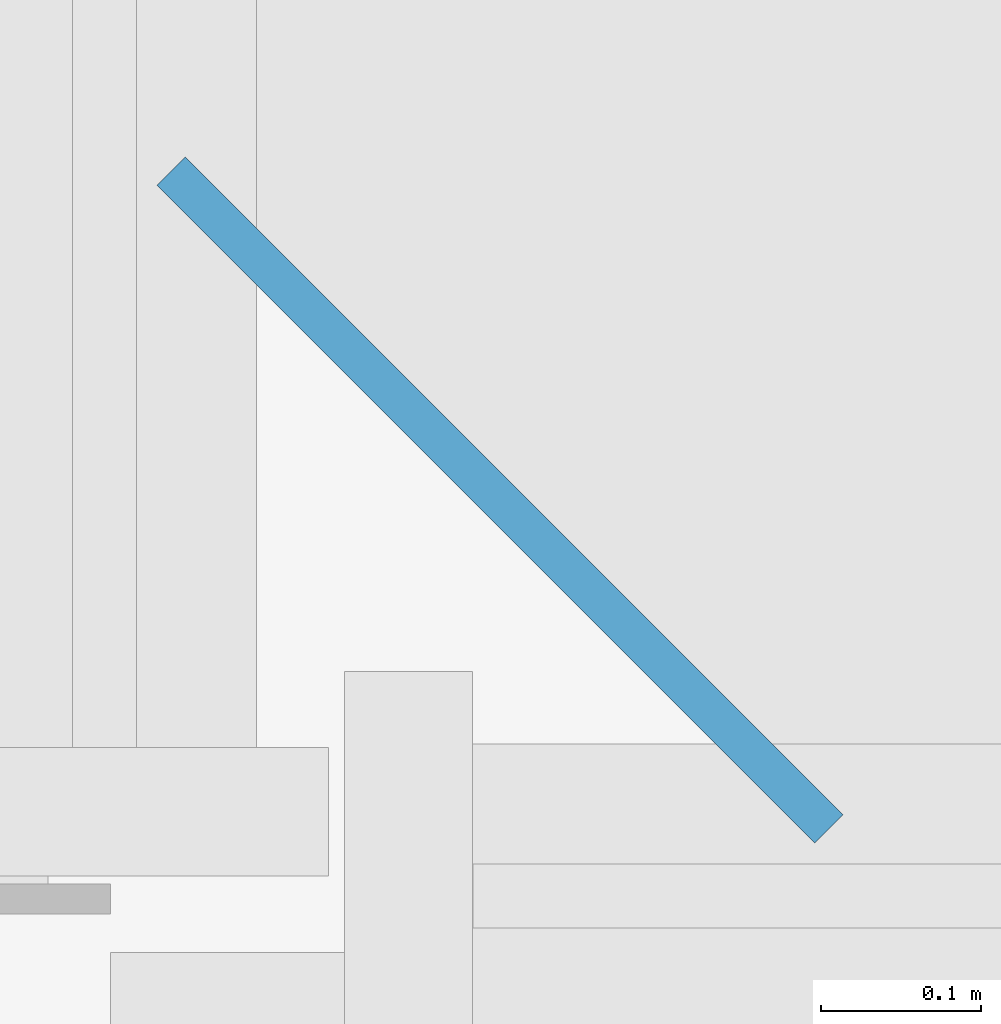
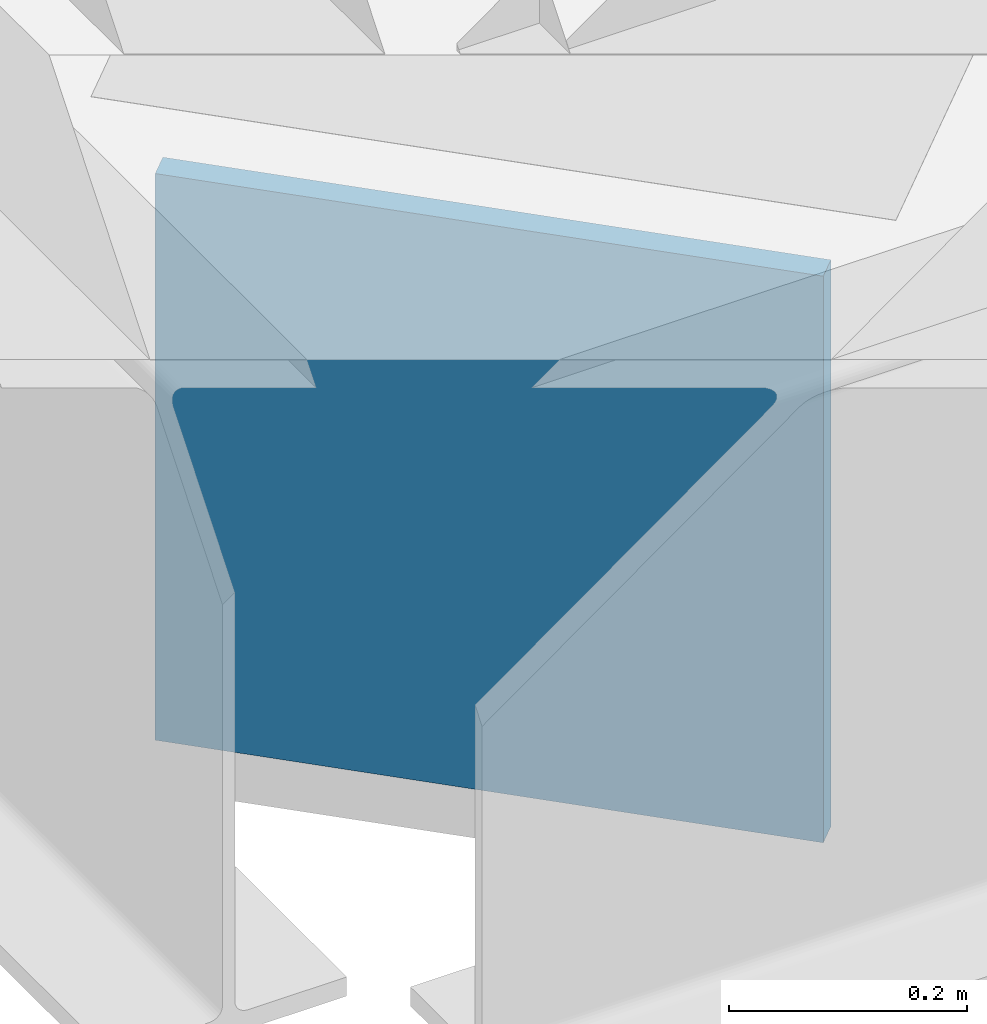
# One storey, part 14 of 21: 1 plate.
"""IFC4 building model written with IfcOpenShell, lengths in metres."""

from ifc_helpers import new_model, si_unit, direction, frame, origin, origin_2d, place, context, subcontext, project, spatial, rectangle, extrude, material, layer, layer_set, type_object, element, save


model = new_model("IFC4")

# Units and contexts
model_context = context("Model", 3, precision=1e-05, world=origin(), true_north=direction((0.0, 1.0)))
body_context = subcontext(model_context, "Body", "Model", "MODEL_VIEW")
ifc_project = project(units=[si_unit("LENGTHUNIT", "METRE"), si_unit("AREAUNIT", "SQUARE_METRE"), si_unit("VOLUMEUNIT", "CUBIC_METRE"), si_unit("PLANEANGLEUNIT", "RADIAN"), si_unit("MASSUNIT", "GRAM", prefix="KILO")], contexts=[model_context])

# Site, building, storey
site_placement = place(None, origin())
site = spatial("IfcSite", under=ifc_project, at=site_placement, CompositionType="ELEMENT")
building_placement = place(site_placement, origin())
building = spatial("IfcBuilding", under=site, at=building_placement, Name="Kopane Lantern Tower", CompositionType="ELEMENT")
storey_placement = place(building_placement, frame((0.0, 0.0, 298.5)))
storey = spatial("IfcBuildingStorey", under=building, at=storey_placement, Name="L76", CompositionType="ELEMENT", Elevation=298.5)

# Plate
ifc_material = material(Name="Steel S355JR", Category="steel")
ifc_layer = layer(ifc_material, 0.02490234375)
ifc_layer_set = layer_set([ifc_layer], Name="STEEL END CAP PLATE PL25")
plate_type = type_object("IfcPlateType", Name="STEEL END CAP PLATE PL25", PredefinedType="USERDEFINED", material=ifc_layer_set)
plate_placement = place(storey_placement, frame((4.447021484375, 20.647216796875, -0.8505859375), z_axis=(0.0, 0.0, 1.0), x_axis=(-0.707106781187, -0.707106781187, 0.0)))
element("IfcPlate", 1, at=plate_placement, inside=storey, type_object=plate_type, Name="Corner tie beam end cap plate L76", ObjectType="PLATE", PredefinedType="USERDEFINED", context=body_context, shape_type="SweptSolid", body=[
    extrude(rectangle(XDim=0.02490234375, YDim=0.5810546875, at=origin_2d()), origin(), (0.0, 0.0, 1.0), 0.5810546875),
])

save(model, "model.ifc")
